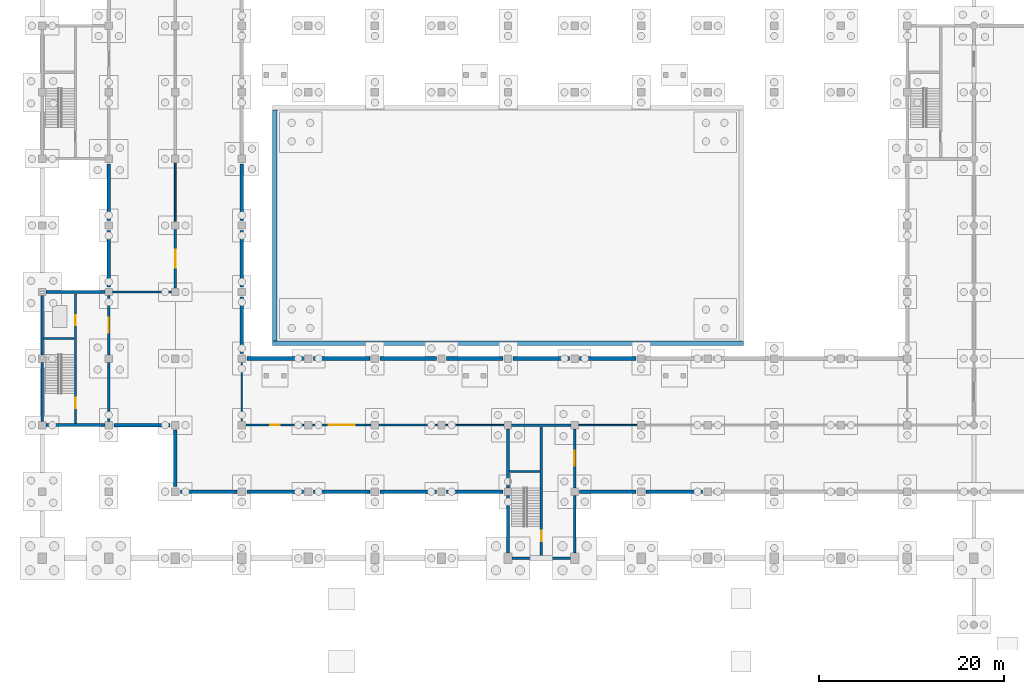
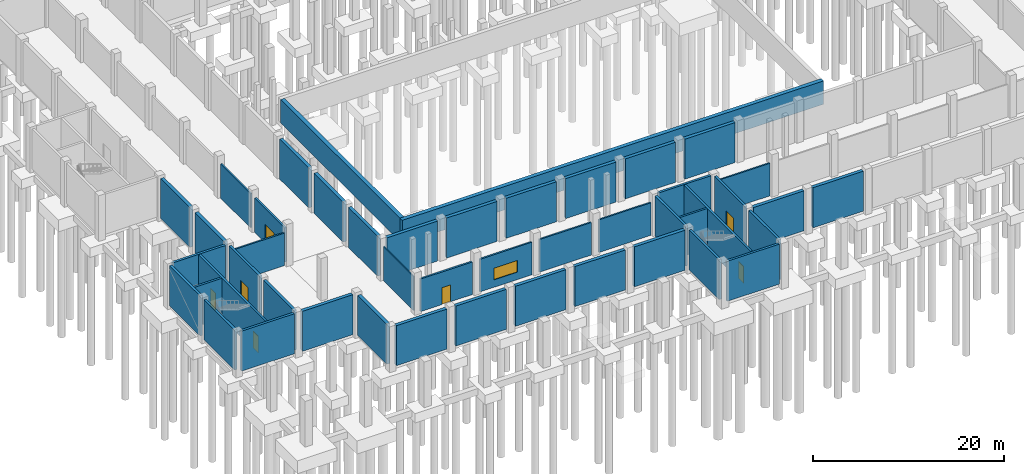
# One storey, part 19 of 35: 47 walls, 7 doors, 1 window, 8 openings.
"""IFC4 building model written with IfcOpenShell, lengths in metres."""

from ifc_helpers import new_model, si_unit, direction, frame, frame_2d, origin, place, context, subcontext, project, spatial, rectangle, extrude, material, layer, layer_set, type_object, element, fill, save


model = new_model("IFC4")

# Units and contexts
model_context = context("Model", 3, precision=1e-05, world=origin(), true_north=direction((0.0, 1.0)))
body_context = subcontext(model_context, "Body", "Model", "MODEL_VIEW")
ifc_project = project(units=[si_unit("LENGTHUNIT", "METRE"), si_unit("AREAUNIT", "SQUARE_METRE"), si_unit("VOLUMEUNIT", "CUBIC_METRE"), si_unit("PLANEANGLEUNIT", "RADIAN"), si_unit("MASSUNIT", "GRAM", prefix="KILO")], contexts=[model_context])

# Site, building, storey
site_placement = place(None, origin())
site = spatial("IfcSite", under=ifc_project, at=site_placement, CompositionType="ELEMENT")
building_placement = place(site_placement, origin())
building = spatial("IfcBuilding", under=site, at=building_placement, Name="Vesperath Aquatics Centre", CompositionType="ELEMENT")
storey_placement = place(building_placement, frame((0.0, 0.0, -5.39990234375)))
storey = spatial("IfcBuildingStorey", under=building, at=storey_placement, Name="B1", CompositionType="ELEMENT", Elevation=-5.39990234375)

# Wall, opening, door
ifc_material_1 = material(Name="Autoclaved aerated masonry blockwork", Category="masonry")
ifc_layer_1 = layer(ifc_material_1, 0.22998046875)
ifc_layer_set_1 = layer_set([ifc_layer_1], Name="Autoclaved aerated masonry blockwork")
wall_type_1 = type_object("IfcWallType", Name="WL-FW01", PredefinedType="SOLIDWALL", material=ifc_layer_set_1)
wall_1_placement = place(storey_placement, frame((14.39990234375, 43.64990234375, 0.0), z_axis=(0.0, 0.0, 1.0), x_axis=(0.0, 1.0, 0.0)))
wall_1 = element("IfcWall", 1, at=wall_1_placement, inside=storey, type_object=wall_type_1, Name="Interior Partition FW01 B1_DIVE_PLT-E1", PredefinedType="SOLIDWALL", context=body_context, shape_type="SweptSolid", body=[
    extrude(rectangle(XDim=6.300048828125, YDim=0.22998046875, at=frame_2d((3.14990234375, 0.0))), origin(), (0.0, 0.0, 1.0), 4.369873046875),
])
opening_1_placement = place(wall_1_placement, frame((2.199951171875, 0.0, 0.0)))
opening_1 = element("IfcOpeningElement", 2, at=opening_1_placement, cuts=wall_1, Name="Opening D05", PredefinedType="OPENING", context=body_context, shape_type="SweptSolid", body=[
    extrude(rectangle(XDim=1.89990234375, YDim=2.35009765625, at=frame_2d((0.949951171875, 1.175048828125))), frame((0.0, 0.1298828125, 0.0), z_axis=(0.0, -1.0, 0.0), x_axis=(1.0, 0.0, 0.0)), (0.0, 0.0, 1.0), 0.259765625),
])
ifc_material_2 = material(Name="Plant equipment double fire door", Category="steel")
door_type_1 = type_object("IfcDoorType", Name="DR-FD05", OperationType="DOUBLE_SWING_LEFT", PredefinedType="DOOR", material=ifc_material_2)
door_1_placement = place(opening_1_placement, origin())
door_1 = element("IfcDoor", 3, at=door_1_placement, inside=storey, type_object=door_type_1, Name="Diving Pool Filtration and Air-Cushion Plant Door D05", OperationType="DOUBLE_SWING_LEFT", OverallHeight=2.35009765625, OverallWidth=1.89990234375, PredefinedType="DOOR", context=body_context, shape_type="SweptSolid", body=[
    extrude(rectangle(XDim=1.89990234375, YDim=2.35009765625, at=frame_2d((0.949951171875, 1.175048828125))), frame((0.0, 0.02490234375, 0.0), z_axis=(0.0, -1.0, 0.0), x_axis=(1.0, 0.0, 0.0)), (0.0, 0.0, 1.0), 0.050048828125),
])
fill(opening_1, door_1)

ifc_material_3 = material(Name="Masonry fire compartment wall", Category="masonry")
ifc_layer_2 = layer(ifc_material_3, 0.219970703125)
ifc_layer_set_2 = layer_set([ifc_layer_2], Name="Masonry fire compartment wall")
wall_type_2 = type_object("IfcWallType", Name="WL-FW02", PredefinedType="SOLIDWALL", material=ifc_layer_set_2)
wall_2_placement = place(storey_placement, frame((22.050048828125, 28.800048828125, 0.0), z_axis=(0.0, 0.0, 1.0), x_axis=(1.0, 0.0, 0.0)))
wall_2 = element("IfcWall", 4, at=wall_2_placement, inside=storey, type_object=wall_type_2, Name="Interior Partition FW02 B1_BALT_1-S1", PredefinedType="SOLIDWALL", context=body_context, shape_type="SweptSolid", body=[
    extrude(rectangle(XDim=6.300048828125, YDim=0.219970703125, at=frame_2d((3.14990234375, 0.0))), origin(), (0.0, 0.0, 1.0), 4.169921875),
])
opening_2_placement = place(wall_2_placement, frame((2.625, 0.0, 0.0)))
opening_2 = element("IfcOpeningElement", 5, at=opening_2_placement, cuts=wall_2, Name="Opening D04", PredefinedType="OPENING", context=body_context, shape_type="SweptSolid", body=[
    extrude(rectangle(XDim=1.050048828125, YDim=2.14990234375, at=frame_2d((0.52490234375, 1.074951171875))), frame((0.0, 0.125, 0.0), z_axis=(0.0, -1.0, 0.0), x_axis=(1.0, 0.0, 0.0)), (0.0, 0.0, 1.0), 0.249755859375),
])
ifc_material_4 = material(Name="Plant room heavy steel fire door", Category="steel")
door_type_2 = type_object("IfcDoorType", Name="DR-FD04", OperationType="NOTDEFINED", PredefinedType="DOOR", material=ifc_material_4)
door_2_placement = place(opening_2_placement, origin())
door_2 = element("IfcDoor", 6, at=door_2_placement, inside=storey, type_object=door_type_2, Name="Competition Surge Balance Tank Hall Door D04", OperationType="SINGLE_SWING_RIGHT", OverallHeight=2.14990234375, OverallWidth=1.050048828125, PredefinedType="DOOR", context=body_context, shape_type="SweptSolid", body=[
    extrude(rectangle(XDim=1.050048828125, YDim=2.14990234375, at=frame_2d((0.52490234375, 1.074951171875))), frame((0.0, 0.02490234375, 0.0), z_axis=(0.0, -1.0, 0.0), x_axis=(1.0, 0.0, 0.0)), (0.0, 0.0, 1.0), 0.050048828125),
])
fill(opening_2, door_2)

# Wall, opening, window
ifc_material_5 = material(Name="Wet-village masonry block wall", Category="masonry")
ifc_layer_3 = layer(ifc_material_5, 0.199951171875)
ifc_layer_set_3 = layer_set([ifc_layer_3], Name="Wet-village masonry block wall")
wall_type_3 = type_object("IfcWallType", Name="WL-FW03", PredefinedType="SOLIDWALL", material=ifc_layer_set_3)
wall_3_placement = place(storey_placement, frame((29.25, 28.800048828125, 0.0), z_axis=(0.0, 0.0, 1.0), x_axis=(1.0, 0.0, 0.0)))
wall_3 = element("IfcWall", 7, at=wall_3_placement, inside=storey, type_object=wall_type_3, Name="Interior Partition FW03 B1_BALT_1-S2", PredefinedType="SOLIDWALL", context=body_context, shape_type="SweptSolid", body=[
    extrude(rectangle(XDim=6.300048828125, YDim=0.199951171875, at=frame_2d((3.14990234375, 0.0))), origin(), (0.0, 0.0, 1.0), 4.169921875),
])
opening_3_placement = place(wall_3_placement, frame((1.75, 0.0, 0.949951171875)))
opening_3 = element("IfcOpeningElement", 8, at=opening_3_placement, cuts=wall_3, Name="Opening VW01", PredefinedType="OPENING", context=body_context, shape_type="SweptSolid", body=[
    extrude(rectangle(XDim=2.800048828125, YDim=1.5, at=frame_2d((1.39990234375, 0.75))), frame((0.0, 0.11474609375, 0.0), z_axis=(0.0, -1.0, 0.0), x_axis=(1.0, 0.0, 0.0)), (0.0, 0.0, 1.0), 0.229736328125),
])
ifc_material_6 = material(Name="Acoustic laminated interior viewing glazing", Category="glass")
window_type = type_object("IfcWindowType", Name="WN-IW01", PartitioningType="SINGLE_PANEL", PredefinedType="WINDOW", material=ifc_material_6)
window_placement = place(opening_3_placement, origin())
window = element("IfcWindow", 9, at=window_placement, inside=storey, type_object=window_type, Name="Interior Viewing Window VW01 B1_BALT_1", OverallHeight=1.5, OverallWidth=2.800048828125, PartitioningType="SINGLE_PANEL", PredefinedType="WINDOW", context=body_context, shape_type="SweptSolid", body=[
    extrude(rectangle(XDim=2.800048828125, YDim=1.5, at=frame_2d((1.39990234375, 0.75))), frame((0.0, 0.030029296875, 0.0), z_axis=(0.0, -1.0, 0.0), x_axis=(1.0, 0.0, 0.0)), (0.0, 0.0, 1.0), 0.06005859375),
])
fill(opening_3, window)

# Walls
ifc_material_7 = material(Name="Plant acoustic masonry wall", Category="masonry")
ifc_layer_4 = layer(ifc_material_7, 0.18994140625)
ifc_layer_set_4 = layer_set([ifc_layer_4], Name="Plant acoustic masonry wall")
wall_type_4 = type_object("IfcWallType", Name="WL-FW04", PredefinedType="SOLIDWALL", material=ifc_layer_set_4)
for number, where, z_axis, x_axis, name in (
    (10, (36.449951171875, 28.800048828125, 0.0), (0.0, 0.0, 1.0), (1.0, 0.0, 0.0), "Interior Partition FW04 B1_BALT_1-S3"),
    (11, (7.64990234375, 43.199951171875, 0.0), (0.0, 0.0, 1.0), (1.0, 0.0, 0.0), "Interior Partition FW04 B1_DIVE_PLT-S1"),
):
    element("IfcWall", number, at=place(storey_placement, frame(where, z_axis=z_axis, x_axis=x_axis)), inside=storey, type_object=wall_type_4, Name=name, PredefinedType="SOLIDWALL", context=body_context, shape_type="SweptSolid", body=[
        extrude(rectangle(XDim=6.300048828125, YDim=0.18994140625, at=frame_2d((3.14990234375, 0.0))), origin(), (0.0, 0.0, 1.0), 4.169921875),
    ])
wall_4_placement = place(storey_placement, frame((14.39990234375, 50.85009765625, 0.0), z_axis=(0.0, 0.0, 1.0), x_axis=(0.0, 1.0, 0.0)))
element("IfcWall", 12, at=wall_4_placement, inside=storey, type_object=wall_type_4, Name="Interior Partition FW04 B1_DIVE_PLT-E2", PredefinedType="SOLIDWALL", context=body_context, shape_type="SweptSolid", body=[
    extrude(rectangle(XDim=6.2998046875, YDim=0.18994140625, at=frame_2d((3.14990234375, 0.0))), origin(), (0.0, 0.0, 1.0), 4.369873046875),
])
ifc_material_8 = material(Name="Double-stud acoustic studio partition", Category="gypsum")
ifc_layer_5 = layer(ifc_material_8, 0.18505859375)
ifc_layer_set_5 = layer_set([ifc_layer_5], Name="Double-stud acoustic studio partition")
wall_type_5 = type_object("IfcWallType", Name="WL-IW01", PredefinedType="PARTITIONING", material=ifc_layer_set_5)
wall_5_placement = place(storey_placement, frame((43.64990234375, 28.800048828125, 0.0), z_axis=(0.0, 0.0, 1.0), x_axis=(1.0, 0.0, 0.0)))
element("IfcWall", 13, at=wall_5_placement, inside=storey, type_object=wall_type_5, Name="Interior Partition IW01 B1_BALT_1-S4", PredefinedType="PARTITIONING", context=body_context, shape_type="SweptSolid", body=[
    extrude(rectangle(XDim=6.300048828125, YDim=0.18505859375, at=frame_2d((3.14990234375, 0.0))), origin(), (0.0, 0.0, 1.0), 4.169921875),
])
ifc_material_9 = material(Name="Moisture-resistant tiled wet partition", Category="gypsum")
ifc_layer_6 = layer(ifc_material_9, 0.175048828125)
ifc_layer_set_6 = layer_set([ifc_layer_6], Name="Moisture-resistant tiled wet partition")
wall_type_6 = type_object("IfcWallType", Name="WL-IW02", PredefinedType="PARTITIONING", material=ifc_layer_set_6)
wall_6_placement = place(storey_placement, frame((58.050048828125, 28.800048828125, 0.0), z_axis=(0.0, 0.0, 1.0), x_axis=(1.0, 0.0, 0.0)))
element("IfcWall", 14, at=wall_6_placement, inside=storey, type_object=wall_type_6, Name="Interior Partition IW02 B1_BALT_1-S5", PredefinedType="PARTITIONING", context=body_context, shape_type="SweptSolid", body=[
    extrude(rectangle(XDim=6.300048828125, YDim=0.175048828125, at=frame_2d((3.14990234375, 0.0))), origin(), (0.0, 0.0, 1.0), 4.169921875),
])
ifc_material_10 = material(Name="Changing cubicle masonry-backed partition", Category="masonry")
ifc_layer_7 = layer(ifc_material_10, 0.137939453125)
ifc_layer_set_7 = layer_set([ifc_layer_7], Name="Changing cubicle masonry-backed partition")
wall_type_7 = type_object("IfcWallType", Name="WL-IW07", PredefinedType="PARTITIONING", material=ifc_layer_set_7)
wall_7_placement = place(storey_placement, frame((21.60009765625, 29.25, 0.0), z_axis=(0.0, 0.0, 1.0), x_axis=(0.0, 1.0, 0.0)))
element("IfcWall", 15, at=wall_7_placement, inside=storey, type_object=wall_type_7, Name="Interior Partition IW07 B1_BALT_1-W1", PredefinedType="PARTITIONING", context=body_context, shape_type="SweptSolid", body=[
    extrude(rectangle(XDim=6.300048828125, YDim=0.137939453125, at=frame_2d((3.14990234375, 0.0))), origin(), (0.0, 0.0, 1.0), 4.369873046875),
])
ifc_material_11 = material(Name="Concrete C40", Category="concrete")
ifc_layer_8 = layer(ifc_material_11, 0.47998046875)
ifc_layer_set_8 = layer_set([ifc_layer_8], Name="Concrete C40")
wall_type_8 = type_object("IfcWallType", Name="WL-PW01", PredefinedType="SHEAR", material=ifc_layer_set_8)
wall_8_placement = place(storey_placement, frame((24.909912109375, 37.659912109375, 2.39990234375), z_axis=(0.0, 0.0, 1.0), x_axis=(1.0, 0.0, 0.0)))
element("IfcWall", 16, at=wall_8_placement, inside=storey, type_object=wall_type_8, Name="Competition Swimming Pool Basin Wall PW01-S", PredefinedType="SHEAR", context=body_context, shape_type="SweptSolid", body=[
    extrude(rectangle(XDim=50.97998046875, YDim=0.47998046875, at=frame_2d((25.489990234375, 0.0))), origin(), (0.0, 0.0, 1.0), 3.0),
])
wall_9_placement = place(storey_placement, frame((25.14990234375, 37.89990234375, 2.39990234375), z_axis=(0.0, 0.0, 1.0), x_axis=(0.0, 1.0, 0.0)))
element("IfcWall", 17, at=wall_9_placement, inside=storey, type_object=wall_type_8, Name="Competition Swimming Pool Basin Wall PW01-W", PredefinedType="SHEAR", context=body_context, shape_type="SweptSolid", body=[
    extrude(rectangle(XDim=25.0, YDim=0.47998046875, at=frame_2d((12.5, 0.0))), origin(), (0.0, 0.0, 1.0), 3.0),
])
ifc_layer_9 = layer(ifc_material_11, 0.39990234375)
ifc_layer_set_9 = layer_set([ifc_layer_9], Name="Concrete C40")
wall_type_9 = type_object("IfcWallType", Name="WL-RW01", PredefinedType="USERDEFINED", material=ifc_layer_set_9)
for number, where, z_axis, x_axis, name in (
    (18, (14.949951171875, 21.60009765625, 0.0), (0.0, 0.0, 1.0), (1.0, 0.0, 0.0), "Basement Retaining Wall RW01-H007"),
    (19, (22.14990234375, 21.60009765625, 0.0), (0.0, 0.0, 1.0), (1.0, 0.0, 0.0), "Basement Retaining Wall RW01-H008"),
):
    element("IfcWall", number, at=place(storey_placement, frame(where, z_axis=z_axis, x_axis=x_axis)), inside=storey, type_object=wall_type_9, Name=name, ObjectType="RETAININGWALL", PredefinedType="USERDEFINED", context=body_context, shape_type="SweptSolid", body=[
        extrude(rectangle(XDim=6.10009765625, YDim=0.39990234375, at=frame_2d((3.050048828125, 0.0))), origin(), (0.0, 0.0, 1.0), 5.119873046875),
    ])
for number, where, z_axis, x_axis, name in (
    (20, (29.35009765625, 21.60009765625, 0.0), (0.0, 0.0, 1.0), (1.0, 0.0, 0.0), "Basement Retaining Wall RW01-H009"),
    (21, (36.550048828125, 21.60009765625, 0.0), (0.0, 0.0, 1.0), (1.0, 0.0, 0.0), "Basement Retaining Wall RW01-H010"),
):
    element("IfcWall", number, at=place(storey_placement, frame(where, z_axis=z_axis, x_axis=x_axis)), inside=storey, type_object=wall_type_9, Name=name, ObjectType="RETAININGWALL", PredefinedType="USERDEFINED", context=body_context, shape_type="SweptSolid", body=[
        extrude(rectangle(XDim=6.099853515625, YDim=0.39990234375, at=frame_2d((3.0498046875, 0.0))), origin(), (0.0, 0.0, 1.0), 5.119873046875),
    ])
for number, where, z_axis, x_axis, name in (
    (22, (43.75, 21.60009765625, 0.0), (0.0, 0.0, 1.0), (1.0, 0.0, 0.0), "Basement Retaining Wall RW01-H011"),
    (23, (58.14990234375, 21.60009765625, 0.0), (0.0, 0.0, 1.0), (1.0, 0.0, 0.0), "Basement Retaining Wall RW01-H012"),
):
    element("IfcWall", number, at=place(storey_placement, frame(where, z_axis=z_axis, x_axis=x_axis)), inside=storey, type_object=wall_type_9, Name=name, ObjectType="RETAININGWALL", PredefinedType="USERDEFINED", context=body_context, shape_type="SweptSolid", body=[
        extrude(rectangle(XDim=6.10009765625, YDim=0.39990234375, at=frame_2d((3.050048828125, 0.0))), origin(), (0.0, 0.0, 1.0), 5.119873046875),
    ])
wall_10_placement = place(storey_placement, frame((65.35009765625, 21.60009765625, 0.0), z_axis=(0.0, 0.0, 1.0), x_axis=(1.0, 0.0, 0.0)))
element("IfcWall", 24, at=wall_10_placement, inside=storey, type_object=wall_type_9, Name="Basement Retaining Wall RW01-H013", ObjectType="RETAININGWALL", PredefinedType="USERDEFINED", context=body_context, shape_type="SweptSolid", body=[
    extrude(rectangle(XDim=6.099853515625, YDim=0.39990234375, at=frame_2d((3.0498046875, 0.0))), origin(), (0.0, 0.0, 1.0), 5.119873046875),
])
for number, where, z_axis, x_axis, name in (
    (25, (7.75, 28.800048828125, 0.0), (0.0, 0.0, 1.0), (1.0, 0.0, 0.0), "Basement Retaining Wall RW01-H020"),
    (26, (22.14990234375, 36.0, 0.0), (0.0, 0.0, 1.0), (1.0, 0.0, 0.0), "Basement Retaining Wall RW01-H021"),
):
    element("IfcWall", number, at=place(storey_placement, frame(where, z_axis=z_axis, x_axis=x_axis)), inside=storey, type_object=wall_type_9, Name=name, ObjectType="RETAININGWALL", PredefinedType="USERDEFINED", context=body_context, shape_type="SweptSolid", body=[
        extrude(rectangle(XDim=6.10009765625, YDim=0.39990234375, at=frame_2d((3.050048828125, 0.0))), origin(), (0.0, 0.0, 1.0), 5.119873046875),
    ])
for number, where, z_axis, x_axis, name in (
    (27, (29.35009765625, 36.0, 0.0), (0.0, 0.0, 1.0), (1.0, 0.0, 0.0), "Basement Retaining Wall RW01-H022"),
    (28, (36.550048828125, 36.0, 0.0), (0.0, 0.0, 1.0), (1.0, 0.0, 0.0), "Basement Retaining Wall RW01-H023"),
):
    element("IfcWall", number, at=place(storey_placement, frame(where, z_axis=z_axis, x_axis=x_axis)), inside=storey, type_object=wall_type_9, Name=name, ObjectType="RETAININGWALL", PredefinedType="USERDEFINED", context=body_context, shape_type="SweptSolid", body=[
        extrude(rectangle(XDim=6.099853515625, YDim=0.39990234375, at=frame_2d((3.0498046875, 0.0))), origin(), (0.0, 0.0, 1.0), 5.119873046875),
    ])
for number, where, z_axis, x_axis, name in (
    (29, (43.75, 36.0, 0.0), (0.0, 0.0, 1.0), (1.0, 0.0, 0.0), "Basement Retaining Wall RW01-H024"),
    (30, (50.949951171875, 36.0, 0.0), (0.0, 0.0, 1.0), (1.0, 0.0, 0.0), "Basement Retaining Wall RW01-H025"),
    (31, (58.14990234375, 36.0, 0.0), (0.0, 0.0, 1.0), (1.0, 0.0, 0.0), "Basement Retaining Wall RW01-H026"),
    (32, (7.199951171875, 43.75, 0.0), (0.0, 0.0, 1.0), (0.0, 1.0, 0.0), "Basement Retaining Wall RW01-V046"),
    (33, (7.199951171875, 50.949951171875, 0.0), (0.0, 0.0, 1.0), (0.0, 1.0, 0.0), "Basement Retaining Wall RW01-V047"),
    (34, (14.39990234375, 22.14990234375, 0.0), (0.0, 0.0, 1.0), (0.0, 1.0, 0.0), "Basement Retaining Wall RW01-V051"),
):
    element("IfcWall", number, at=place(storey_placement, frame(where, z_axis=z_axis, x_axis=x_axis)), inside=storey, type_object=wall_type_9, Name=name, ObjectType="RETAININGWALL", PredefinedType="USERDEFINED", context=body_context, shape_type="SweptSolid", body=[
        extrude(rectangle(XDim=6.10009765625, YDim=0.39990234375, at=frame_2d((3.050048828125, 0.0))), origin(), (0.0, 0.0, 1.0), 5.119873046875),
    ])
wall_11_placement = place(storey_placement, frame((21.60009765625, 36.550048828125, 0.0), z_axis=(0.0, 0.0, 1.0), x_axis=(0.0, 1.0, 0.0)))
element("IfcWall", 35, at=wall_11_placement, inside=storey, type_object=wall_type_9, Name="Basement Retaining Wall RW01-V052", ObjectType="RETAININGWALL", PredefinedType="USERDEFINED", context=body_context, shape_type="SweptSolid", body=[
    extrude(rectangle(XDim=6.099853515625, YDim=0.39990234375, at=frame_2d((3.0498046875, 0.0))), origin(), (0.0, 0.0, 1.0), 5.119873046875),
])
for number, where, z_axis, x_axis, name in (
    (36, (21.60009765625, 43.75, 0.0), (0.0, 0.0, 1.0), (0.0, 1.0, 0.0), "Basement Retaining Wall RW01-V053"),
    (37, (21.60009765625, 50.949951171875, 0.0), (0.0, 0.0, 1.0), (0.0, 1.0, 0.0), "Basement Retaining Wall RW01-V054"),
):
    element("IfcWall", number, at=place(storey_placement, frame(where, z_axis=z_axis, x_axis=x_axis)), inside=storey, type_object=wall_type_9, Name=name, ObjectType="RETAININGWALL", PredefinedType="USERDEFINED", context=body_context, shape_type="SweptSolid", body=[
        extrude(rectangle(XDim=6.10009765625, YDim=0.39990234375, at=frame_2d((3.050048828125, 0.0))), origin(), (0.0, 0.0, 1.0), 5.119873046875),
    ])
ifc_layer_10 = layer(ifc_material_11, 0.300048828125)
ifc_layer_set_10 = layer_set([ifc_layer_10], Name="Concrete C40")
wall_type_10 = type_object("IfcWallType", Name="WL-SW01", PredefinedType="SHEAR", material=ifc_layer_set_10)
for number, where, z_axis, x_axis, name in (
    (38, (0.39990234375, 28.800048828125, 0.0), (0.0, 0.0, 1.0), (1.0, 0.0, 0.0), "Core C1 South Shear Wall SW01 B1"),
    (39, (0.39990234375, 43.199951171875, 0.0), (0.0, 0.0, 1.0), (1.0, 0.0, 0.0), "Core C1 North Shear Wall SW01 B1"),
    (40, (0.0, 29.199951171875, 0.0), (0.0, 0.0, 1.0), (0.0, 1.0, 0.0), "Core C1 West-1 Shear Wall SW01 B1"),
    (41, (0.0, 36.39990234375, 0.0), (0.0, 0.0, 1.0), (0.0, 1.0, 0.0), "Core C1 West-2 Shear Wall SW01 B1"),
    (42, (7.199951171875, 29.199951171875, 0.0), (0.0, 0.0, 1.0), (0.0, 1.0, 0.0), "Core C1 East-1 Shear Wall SW01 B1"),
):
    element("IfcWall", number, at=place(storey_placement, frame(where, z_axis=z_axis, x_axis=x_axis)), inside=storey, type_object=wall_type_10, Name=name, PredefinedType="SHEAR", context=body_context, shape_type="SweptSolid", body=[
        extrude(rectangle(XDim=6.400146484375, YDim=0.300048828125, at=frame_2d((3.2001953125, 0.0))), origin(), (0.0, 0.0, 1.0), 5.119873046875),
    ])

# Wall, opening, door
wall_12_placement = place(storey_placement, frame((7.199951171875, 36.39990234375, 0.0), z_axis=(0.0, 0.0, 1.0), x_axis=(0.0, 1.0, 0.0)))
wall_12 = element("IfcWall", 43, at=wall_12_placement, inside=storey, type_object=wall_type_10, Name="Core C1 East-2 Shear Wall SW01 B1", PredefinedType="SHEAR", context=body_context, shape_type="SweptSolid", body=[
    extrude(rectangle(XDim=6.400146484375, YDim=0.300048828125, at=frame_2d((3.2001953125, 0.0))), origin(), (0.0, 0.0, 1.0), 5.119873046875),
])
opening_4_placement = place(wall_12_placement, frame((2.39990234375, 0.0, 0.0)))
opening_4 = element("IfcOpeningElement", 44, at=opening_4_placement, cuts=wall_12, Name="Opening D02", PredefinedType="OPENING", context=body_context, shape_type="SweptSolid", body=[
    extrude(rectangle(XDim=1.60009765625, YDim=2.199951171875, at=frame_2d((0.800048828125, 1.10009765625))), frame((0.0, 0.1650390625, 0.0), z_axis=(0.0, -1.0, 0.0), x_axis=(1.0, 0.0, 0.0)), (0.0, 0.0, 1.0), 0.329833984375),
])
ifc_material_12 = material(Name="Glazed fire-rated lobby double door", Category="steel")
door_type_3 = type_object("IfcDoorType", Name="DR-FD02", OperationType="DOUBLE_SWING_LEFT", PredefinedType="DOOR", material=ifc_material_12)
door_3_placement = place(opening_4_placement, frame((1.60009765625, 0.0, 0.0), z_axis=(0.0, 0.0, 1.0), x_axis=(-1.0, 0.0, 0.0)))
door_3 = element("IfcDoor", 45, at=door_3_placement, inside=storey, type_object=door_type_3, Name="Core C1 Lobby Fire Door D02 B1", OperationType="DOUBLE_SWING_LEFT", OverallHeight=2.199951171875, OverallWidth=1.60009765625, PredefinedType="DOOR", context=body_context, shape_type="SweptSolid", body=[
    extrude(rectangle(XDim=1.60009765625, YDim=2.199951171875, at=frame_2d((0.800048828125, 1.10009765625))), frame((0.0, 0.02490234375, 0.0), z_axis=(0.0, -1.0, 0.0), x_axis=(1.0, 0.0, 0.0)), (0.0, 0.0, 1.0), 0.050048828125),
])
fill(opening_4, door_3)

# Walls
ifc_layer_11 = layer(ifc_material_11, 0.280029296875)
ifc_layer_set_11 = layer_set([ifc_layer_11], Name="Concrete C40")
wall_type_11 = type_object("IfcWallType", Name="WL-SW02", PredefinedType="SHEAR", material=ifc_layer_set_11)
wall_13_placement = place(storey_placement, frame((50.85009765625, 14.39990234375, 0.0), z_axis=(0.0, 0.0, 1.0), x_axis=(1.0, 0.0, 0.0)))
element("IfcWall", 46, at=wall_13_placement, inside=storey, type_object=wall_type_11, Name="Core C9 South Shear Wall SW02 B1", PredefinedType="SHEAR", context=body_context, shape_type="SweptSolid", body=[
    extrude(rectangle(XDim=6.2998046875, YDim=0.280029296875, at=frame_2d((3.14990234375, 0.0))), origin(), (0.0, 0.0, 1.0), 5.119873046875),
])
wall_14_placement = place(storey_placement, frame((50.800048828125, 28.800048828125, 0.0), z_axis=(0.0, 0.0, 1.0), x_axis=(1.0, 0.0, 0.0)))
element("IfcWall", 47, at=wall_14_placement, inside=storey, type_object=wall_type_11, Name="Core C9 North Shear Wall SW02 B1", PredefinedType="SHEAR", context=body_context, shape_type="SweptSolid", body=[
    extrude(rectangle(XDim=6.39990234375, YDim=0.280029296875, at=frame_2d((3.199951171875, 0.0))), origin(), (0.0, 0.0, 1.0), 5.119873046875),
])
wall_15_placement = place(storey_placement, frame((50.39990234375, 14.949951171875, 0.0), z_axis=(0.0, 0.0, 1.0), x_axis=(0.0, 1.0, 0.0)))
element("IfcWall", 48, at=wall_15_placement, inside=storey, type_object=wall_type_11, Name="Core C9 West-1 Shear Wall SW02 B1", PredefinedType="SHEAR", context=body_context, shape_type="SweptSolid", body=[
    extrude(rectangle(XDim=6.25, YDim=0.280029296875, at=frame_2d((3.125, 0.0))), origin(), (0.0, 0.0, 1.0), 5.119873046875),
])
wall_16_placement = place(storey_placement, frame((50.39990234375, 22.0, 0.0), z_axis=(0.0, 0.0, 1.0), x_axis=(0.0, 1.0, 0.0)))
element("IfcWall", 49, at=wall_16_placement, inside=storey, type_object=wall_type_11, Name="Core C9 West-2 Shear Wall SW02 B1", PredefinedType="SHEAR", context=body_context, shape_type="SweptSolid", body=[
    extrude(rectangle(XDim=6.39990234375, YDim=0.280029296875, at=frame_2d((3.199951171875, 0.0))), origin(), (0.0, 0.0, 1.0), 5.119873046875),
])
wall_17_placement = place(storey_placement, frame((57.60009765625, 14.949951171875, 0.0), z_axis=(0.0, 0.0, 1.0), x_axis=(0.0, 1.0, 0.0)))
element("IfcWall", 50, at=wall_17_placement, inside=storey, type_object=wall_type_11, Name="Core C9 East-1 Shear Wall SW02 B1", PredefinedType="SHEAR", context=body_context, shape_type="SweptSolid", body=[
    extrude(rectangle(XDim=6.25, YDim=0.280029296875, at=frame_2d((3.125, 0.0))), origin(), (0.0, 0.0, 1.0), 5.119873046875),
])

# Wall, opening, door
wall_18_placement = place(storey_placement, frame((57.60009765625, 22.0, 0.0), z_axis=(0.0, 0.0, 1.0), x_axis=(0.0, 1.0, 0.0)))
wall_18 = element("IfcWall", 51, at=wall_18_placement, inside=storey, type_object=wall_type_11, Name="Core C9 East-2 Shear Wall SW02 B1", PredefinedType="SHEAR", context=body_context, shape_type="SweptSolid", body=[
    extrude(rectangle(XDim=6.39990234375, YDim=0.280029296875, at=frame_2d((3.199951171875, 0.0))), origin(), (0.0, 0.0, 1.0), 5.119873046875),
])
opening_5_placement = place(wall_18_placement, frame((2.39990234375, 0.0, 0.0)))
opening_5 = element("IfcOpeningElement", 52, at=opening_5_placement, cuts=wall_18, Name="Opening D02", PredefinedType="OPENING", context=body_context, shape_type="SweptSolid", body=[
    extrude(rectangle(XDim=1.60009765625, YDim=2.199951171875, at=frame_2d((0.800048828125, 1.10009765625))), frame((0.0, 0.15478515625, 0.0), z_axis=(0.0, -1.0, 0.0), x_axis=(1.0, 0.0, 0.0)), (0.0, 0.0, 1.0), 0.309814453125),
])
door_4_placement = place(opening_5_placement, frame((1.60009765625, 0.0, 0.0), z_axis=(0.0, 0.0, 1.0), x_axis=(-1.0, 0.0, 0.0)))
door_4 = element("IfcDoor", 53, at=door_4_placement, inside=storey, type_object=door_type_3, Name="Core C9 Lobby Fire Door D02 B1", OperationType="DOUBLE_SWING_LEFT", OverallHeight=2.199951171875, OverallWidth=1.60009765625, PredefinedType="DOOR", context=body_context, shape_type="SweptSolid", body=[
    extrude(rectangle(XDim=1.60009765625, YDim=2.199951171875, at=frame_2d((0.800048828125, 1.10009765625))), frame((0.0, 0.02490234375, 0.0), z_axis=(0.0, -1.0, 0.0), x_axis=(1.0, 0.0, 0.0)), (0.0, 0.0, 1.0), 0.050048828125),
])
fill(opening_5, door_4)

# Wall, openings, doors
ifc_layer_12 = layer(ifc_material_11, 0.260009765625)
ifc_layer_set_12 = layer_set([ifc_layer_12], Name="Concrete C40")
wall_type_12 = type_object("IfcWallType", Name="WL-SW03", PredefinedType="SHEAR", material=ifc_layer_set_12)
wall_19_placement = place(storey_placement, frame((3.60009765625, 29.0, 0.0), z_axis=(0.0, 0.0, 1.0), x_axis=(0.0, 1.0, 0.0)))
wall_19 = element("IfcWall", 54, at=wall_19_placement, inside=storey, type_object=wall_type_12, Name="Core C1 Spine Shear Wall SW03 B1", PredefinedType="SHEAR", context=body_context, shape_type="SweptSolid", body=[
    extrude(rectangle(XDim=14.0, YDim=0.260009765625, at=frame_2d((7.0, 0.0))), origin(), (0.0, 0.0, 1.0), 5.119873046875),
])
opening_6_placement = place(wall_19_placement, frame((1.64990234375, 0.0, 0.0)))
opening_6 = element("IfcOpeningElement", 55, at=opening_6_placement, cuts=wall_19, Name="Opening D01", PredefinedType="OPENING", context=body_context, shape_type="SweptSolid", body=[
    extrude(rectangle(XDim=1.10009765625, YDim=2.14990234375, at=frame_2d((0.550048828125, 1.074951171875))), frame((0.0, 0.14501953125, 0.0), z_axis=(0.0, -1.0, 0.0), x_axis=(1.0, 0.0, 0.0)), (0.0, 0.0, 1.0), 0.289794921875),
])
opening_7_placement = place(wall_19_placement, frame((10.60009765625, 0.0, 0.0)))
opening_7 = element("IfcOpeningElement", 56, at=opening_7_placement, cuts=wall_19, Name="Opening LD01", PredefinedType="OPENING", context=body_context, shape_type="SweptSolid", body=[
    extrude(rectangle(XDim=1.10009765625, YDim=2.199951171875, at=frame_2d((0.550048828125, 1.10009765625))), frame((0.0, 0.14501953125, 0.0), z_axis=(0.0, -1.0, 0.0), x_axis=(1.0, 0.0, 0.0)), (0.0, 0.0, 1.0), 0.289794921875),
])
ifc_material_13 = material(Name="Steel-faced acoustic fire door", Category="steel")
door_type_4 = type_object("IfcDoorType", Name="DR-FD01", OperationType="NOTDEFINED", PredefinedType="DOOR", material=ifc_material_13)
door_5_placement = place(opening_6_placement, origin())
door_5 = element("IfcDoor", 57, at=door_5_placement, inside=storey, type_object=door_type_4, Name="Stair ST1 Fire Door D01 B1", OperationType="SINGLE_SWING_LEFT", OverallHeight=2.14990234375, OverallWidth=1.10009765625, PredefinedType="DOOR", context=body_context, shape_type="SweptSolid", body=[
    extrude(rectangle(XDim=1.10009765625, YDim=2.14990234375, at=frame_2d((0.550048828125, 1.074951171875))), frame((0.0, 0.02490234375, 0.0), z_axis=(0.0, -1.0, 0.0), x_axis=(1.0, 0.0, 0.0)), (0.0, 0.0, 1.0), 0.050048828125),
])
fill(opening_6, door_5)
ifc_material_14 = material(Name="Brushed stainless steel lift landing door", Category="steel")
door_type_5 = type_object("IfcDoorType", Name="DR-LD01", OperationType="SLIDING_TO_LEFT", PredefinedType="DOOR", material=ifc_material_14)
door_6_placement = place(opening_7_placement, frame((1.10009765625, 0.0, 0.0), z_axis=(0.0, 0.0, 1.0), x_axis=(-1.0, 0.0, 0.0)))
door_6 = element("IfcDoor", 58, at=door_6_placement, inside=storey, type_object=door_type_5, Name="Lift LFT-P1 Sliding Landing Door LD01 B1", OperationType="SLIDING_TO_LEFT", OverallHeight=2.199951171875, OverallWidth=1.10009765625, PredefinedType="DOOR", context=body_context, shape_type="SweptSolid", body=[
    extrude(rectangle(XDim=1.10009765625, YDim=2.199951171875, at=frame_2d((0.550048828125, 1.10009765625))), frame((0.0, 0.02490234375, 0.0), z_axis=(0.0, -1.0, 0.0), x_axis=(1.0, 0.0, 0.0)), (0.0, 0.0, 1.0), 0.050048828125),
])
fill(opening_7, door_6)

# Wall, opening, door
wall_20_placement = place(storey_placement, frame((54.0, 14.60009765625, 0.0), z_axis=(0.0, 0.0, 1.0), x_axis=(0.0, 1.0, 0.0)))
wall_20 = element("IfcWall", 59, at=wall_20_placement, inside=storey, type_object=wall_type_12, Name="Core C9 Spine Shear Wall SW03 B1", PredefinedType="SHEAR", context=body_context, shape_type="SweptSolid", body=[
    extrude(rectangle(XDim=14.0, YDim=0.260009765625, at=frame_2d((7.0, 0.0))), origin(), (0.0, 0.0, 1.0), 5.119873046875),
])
opening_8_placement = place(wall_20_placement, frame((1.64990234375, 0.0, 0.0)))
opening_8 = element("IfcOpeningElement", 60, at=opening_8_placement, cuts=wall_20, Name="Opening D01", PredefinedType="OPENING", context=body_context, shape_type="SweptSolid", body=[
    extrude(rectangle(XDim=1.10009765625, YDim=2.14990234375, at=frame_2d((0.550048828125, 1.074951171875))), frame((0.0, 0.14501953125, 0.0), z_axis=(0.0, -1.0, 0.0), x_axis=(1.0, 0.0, 0.0)), (0.0, 0.0, 1.0), 0.289794921875),
])
door_7_placement = place(opening_8_placement, origin())
door_7 = element("IfcDoor", 61, at=door_7_placement, inside=storey, type_object=door_type_4, Name="Stair ST9 Fire Door D01 B1", OperationType="SINGLE_SWING_LEFT", OverallHeight=2.14990234375, OverallWidth=1.10009765625, PredefinedType="DOOR", context=body_context, shape_type="SweptSolid", body=[
    extrude(rectangle(XDim=1.10009765625, YDim=2.14990234375, at=frame_2d((0.550048828125, 1.074951171875))), frame((0.0, 0.02490234375, 0.0), z_axis=(0.0, -1.0, 0.0), x_axis=(1.0, 0.0, 0.0)), (0.0, 0.0, 1.0), 0.050048828125),
])
fill(opening_8, door_7)

# Walls
ifc_layer_13 = layer(ifc_material_11, 0.25)
ifc_layer_set_13 = layer_set([ifc_layer_13], Name="Concrete C40")
wall_type_13 = type_object("IfcWallType", Name="WL-SW04", PredefinedType="SHEAR", material=ifc_layer_set_13)
for number, where, z_axis, x_axis, name in (
    (62, (0.159912109375, 38.179931640625, 0.0), (0.0, 0.0, 1.0), (1.0, 0.0, 0.0), "Core C1 Lift Shaft Wall SW04 B1"),
    (63, (50.56005859375, 23.780029296875, 0.0), (0.0, 0.0, 1.0), (1.0, 0.0, 0.0), "Core C9 Lift Shaft Wall SW04 B1"),
):
    element("IfcWall", number, at=place(storey_placement, frame(where, z_axis=z_axis, x_axis=x_axis)), inside=storey, type_object=wall_type_13, Name=name, PredefinedType="SHEAR", context=body_context, shape_type="SweptSolid", body=[
        extrude(rectangle(XDim=3.300048828125, YDim=0.25, at=frame_2d((1.64990234375, 0.0))), origin(), (0.0, 0.0, 1.0), 5.119873046875),
    ])

save(model, "model.ifc")
